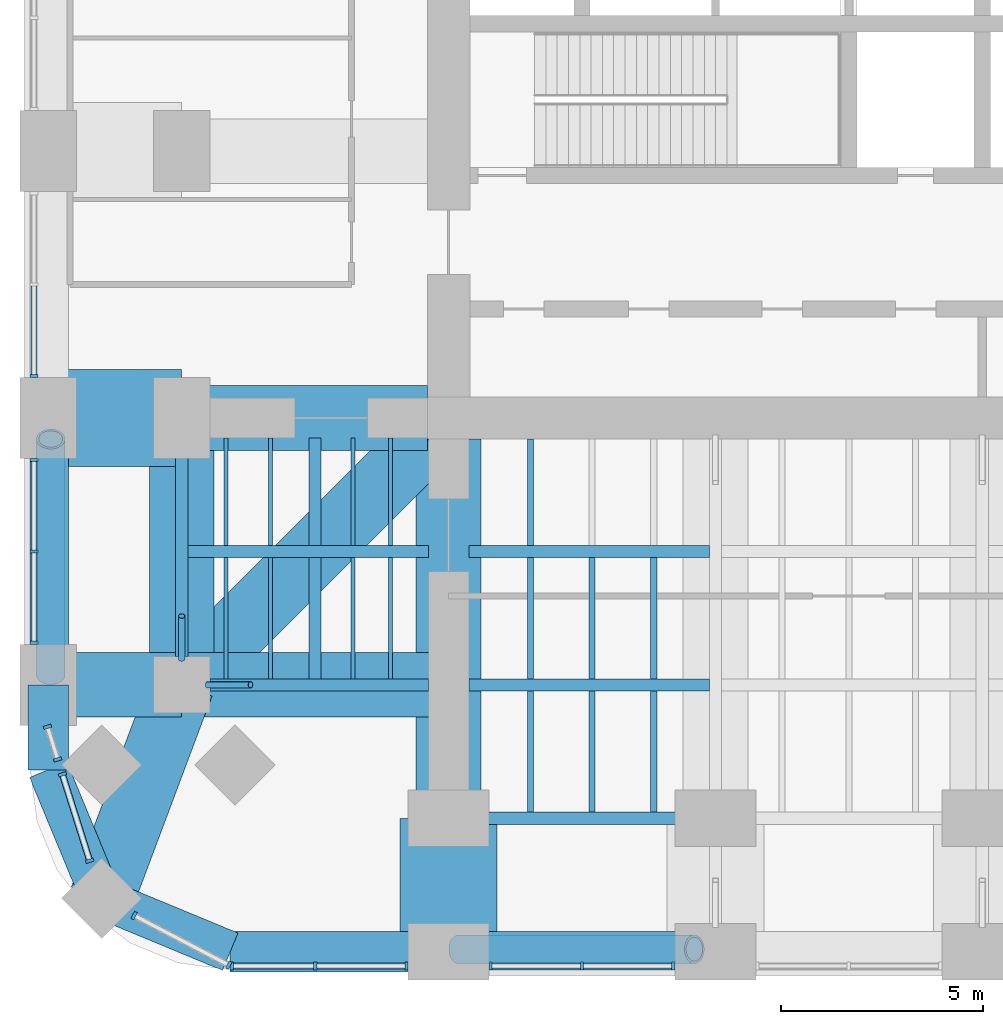
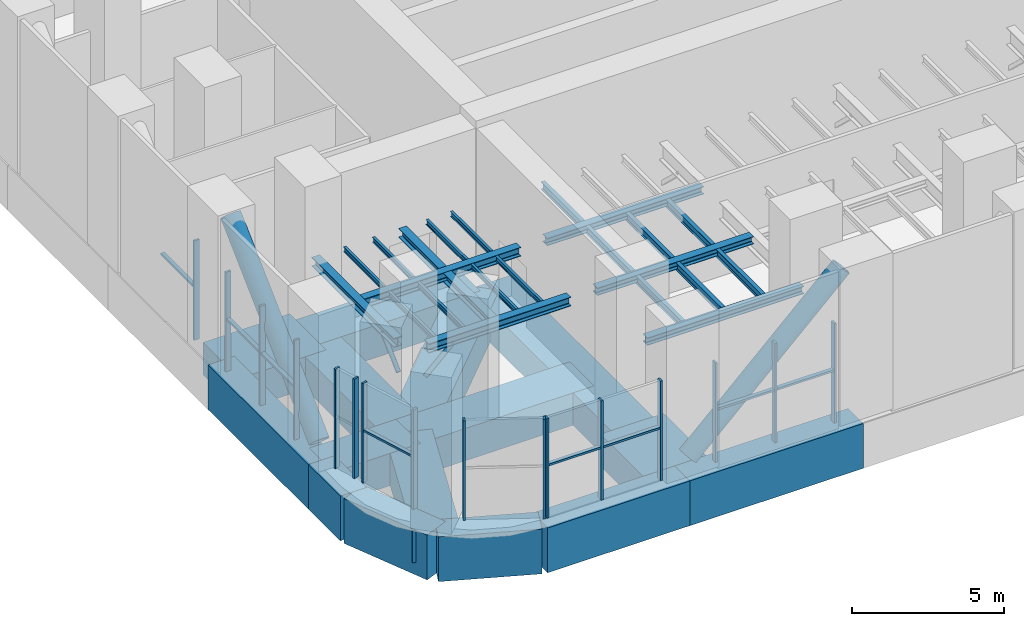
# One storey, part 2 of 16: 38 beams, 28 members, 7 elements without a shape of their own.
"""IFC4 building model written with IfcOpenShell, lengths in metres."""

from ifc_helpers import new_model, si_unit, direction, frame, origin, origin_2d, place, context, subcontext, project, spatial, rectangle, hollow_circle, i_section, extrude, material, material_profile, profile_set, type_object, element, aggregate, save


model = new_model("IFC4")

# Units and contexts
model_context = context("Model", 3, precision=1e-05, world=origin(), true_north=direction((0.0, 1.0)))
body_context = subcontext(model_context, "Body", "Model", "MODEL_VIEW")
ifc_project = project(units=[si_unit("LENGTHUNIT", "METRE"), si_unit("AREAUNIT", "SQUARE_METRE"), si_unit("VOLUMEUNIT", "CUBIC_METRE"), si_unit("PLANEANGLEUNIT", "RADIAN"), si_unit("MASSUNIT", "GRAM", prefix="KILO")], contexts=[model_context])

# Site, building, storey
site_placement = place(None, origin())
site = spatial("IfcSite", under=ifc_project, at=site_placement, CompositionType="ELEMENT")
building_placement = place(site_placement, origin())
building = spatial("IfcBuilding", under=site, at=building_placement, Name="Cobogo Forest Laboratory Tower", CompositionType="ELEMENT")
storey_placement = place(building_placement, frame((0.0, 0.0, 149.39990234375)))
storey = spatial("IfcBuildingStorey", under=building, at=storey_placement, Name="L34", CompositionType="ELEMENT", Elevation=149.39990234375)

# Members
ifc_material_1 = material(Name="Steel S460NH", Category="steel")
ifc_material_profile_1 = material_profile(ifc_material_1, hollow_circle(Radius=0.35546875, WallThickness=0.06005859375, at=origin_2d()), Name="CHS 711x60")
ifc_profile_set_1 = profile_set([ifc_material_profile_1], Name="Steel S460NH")
member_type_1 = type_object("IfcMemberType", Name="Belt truss diagonal CHS 711x60", PredefinedType="BRACE", material=ifc_profile_set_1)
for number, where, z_axis, x_axis, name in (
    (1, (13.449951171875, 0.06005859375, 0.23876953125), (0.723363796511, 0.0, 0.690467101242), (0.0, 1.0, 0.0), "BT1 belt truss diagonal S01 L34"),
    (2, (3.360107421875, 6.85009765625, 0.23876953125), (0.0, 0.723349354665, 0.69048223084), (-1.0, 0.0, 0.0), "BT1 belt truss diagonal W15 L34"),
):
    element("IfcMember", number, at=place(storey_placement, frame(where, z_axis=z_axis, x_axis=x_axis)), inside=storey, type_object=member_type_1, Name=name, PredefinedType="BRACE", context=body_context, shape_type="SweptSolid", body=[
        extrude(hollow_circle(Radius=0.35546875, WallThickness=0.06005859375, at=origin_2d()), origin(), (0.0, 0.0, 1.0), 8.0595703125),
    ])

# Curtain wall, members
ifc_material_2 = material(Name="Aluminium curtain wall", Category="aluminium")
curtain_wall_type = type_object("IfcCurtainWallType", Name="CW-P louvred curtain wall, plant floors", PredefinedType="USERDEFINED", material=ifc_material_2)
curtain_wall_1_placement = place(storey_placement, origin())
curtain_wall_1 = element("IfcCurtainWall", 3, at=curtain_wall_1_placement, inside=storey, type_object=curtain_wall_type, Name="Curtain wall 01 L34", ObjectType="LOUVRED CURTAIN WALL", PredefinedType="USERDEFINED")
ifc_material_3 = material(Name="Aluminium mullion", Category="aluminium")
ifc_material_profile_2 = material_profile(ifc_material_3, rectangle(XDim=0.080078125, YDim=0.199951171875, at=origin_2d()), Name="AL 80x200")
ifc_profile_set_2 = profile_set([ifc_material_profile_2], Name="Aluminium mullion")
member_type_2 = type_object("IfcMemberType", Name="MU-3 aluminium louvre mullion 80x200", PredefinedType="MULLION", material=ifc_profile_set_2)
member_1_placement = place(storey_placement, frame((7.840087890625, -0.35009765625, 0.0), z_axis=(0.0, 0.0, 1.0), x_axis=(1.0, 0.0, 0.0)))
member_1 = element("IfcMember", 4, at=member_1_placement, type_object=member_type_2, Name="CW-P mullion 1", PredefinedType="MULLION", context=body_context, shape_type="SweptSolid", body=[
    extrude(rectangle(XDim=0.080078125, YDim=0.199951171875, at=origin_2d()), origin(), (0.0, 0.0, 1.0), 4.0),
])
member_2_placement = place(storey_placement, frame((9.89990234375, -0.35009765625, 0.0), z_axis=(0.0, 0.0, 1.0), x_axis=(1.0, 0.0, 0.0)))
member_2 = element("IfcMember", 5, at=member_2_placement, type_object=member_type_2, Name="CW-P mullion 2", PredefinedType="MULLION", context=body_context, shape_type="SweptSolid", body=[
    extrude(rectangle(XDim=0.080078125, YDim=0.199951171875, at=origin_2d()), origin(), (0.0, 0.0, 1.0), 4.0),
])
member_3_placement = place(storey_placement, frame((12.159912109375, -0.35009765625, 0.0), z_axis=(0.0, 0.0, 1.0), x_axis=(1.0, 0.0, 0.0)))
member_3 = element("IfcMember", 6, at=member_3_placement, type_object=member_type_2, Name="CW-P mullion 3", PredefinedType="MULLION", context=body_context, shape_type="SweptSolid", body=[
    extrude(rectangle(XDim=0.080078125, YDim=0.199951171875, at=origin_2d()), origin(), (0.0, 0.0, 1.0), 4.0),
])

curtain_wall_2_placement = place(storey_placement, origin())
curtain_wall_2 = element("IfcCurtainWall", 7, at=curtain_wall_2_placement, inside=storey, type_object=curtain_wall_type, Name="Curtain wall 02 L34", ObjectType="LOUVRED CURTAIN WALL", PredefinedType="USERDEFINED")
member_4_placement = place(storey_placement, frame((14.239990234375, -0.35009765625, 0.0), z_axis=(0.0, 0.0, 1.0), x_axis=(1.0, 0.0, 0.0)))
member_4 = element("IfcMember", 8, at=member_4_placement, type_object=member_type_2, Name="CW-P mullion 1", PredefinedType="MULLION", context=body_context, shape_type="SweptSolid", body=[
    extrude(rectangle(XDim=0.080078125, YDim=0.199951171875, at=origin_2d()), origin(), (0.0, 0.0, 1.0), 4.0),
])
member_5_placement = place(storey_placement, frame((16.5, -0.35009765625, 0.0), z_axis=(0.0, 0.0, 1.0), x_axis=(1.0, 0.0, 0.0)))
member_5 = element("IfcMember", 9, at=member_5_placement, type_object=member_type_2, Name="CW-P mullion 2", PredefinedType="MULLION", context=body_context, shape_type="SweptSolid", body=[
    extrude(rectangle(XDim=0.080078125, YDim=0.199951171875, at=origin_2d()), origin(), (0.0, 0.0, 1.0), 4.0),
])
member_6_placement = place(storey_placement, frame((18.760009765625, -0.35009765625, 0.0), z_axis=(0.0, 0.0, 1.0), x_axis=(1.0, 0.0, 0.0)))
member_6 = element("IfcMember", 10, at=member_6_placement, type_object=member_type_2, Name="CW-P mullion 3", PredefinedType="MULLION", context=body_context, shape_type="SweptSolid", body=[
    extrude(rectangle(XDim=0.080078125, YDim=0.199951171875, at=origin_2d()), origin(), (0.0, 0.0, 1.0), 4.0),
])

# Curtain wall, member
curtain_wall_3_placement = place(storey_placement, origin())
curtain_wall_3 = element("IfcCurtainWall", 11, at=curtain_wall_3_placement, inside=storey, type_object=curtain_wall_type, Name="Curtain wall 30 L34", ObjectType="LOUVRED CURTAIN WALL", PredefinedType="USERDEFINED")
member_7_placement = place(storey_placement, frame((2.949951171875, 14.239990234375, 0.0), z_axis=(0.0, 0.0, 1.0), x_axis=(0.0, -1.0, 0.0)))
member_7 = element("IfcMember", 12, at=member_7_placement, type_object=member_type_2, Name="CW-P mullion 3", PredefinedType="MULLION", context=body_context, shape_type="SweptSolid", body=[
    extrude(rectangle(XDim=0.080078125, YDim=0.199951171875, at=origin_2d()), origin(), (0.0, 0.0, 1.0), 4.0),
])

# Curtain wall, members
curtain_wall_4_placement = place(storey_placement, origin())
curtain_wall_4 = element("IfcCurtainWall", 13, at=curtain_wall_4_placement, inside=storey, type_object=curtain_wall_type, Name="Curtain wall 31 L34", ObjectType="LOUVRED CURTAIN WALL", PredefinedType="USERDEFINED")
member_8_placement = place(storey_placement, frame((2.949951171875, 12.159912109375, 0.0), z_axis=(0.0, 0.0, 1.0), x_axis=(0.0, -1.0, 0.0)))
member_8 = element("IfcMember", 14, at=member_8_placement, type_object=member_type_2, Name="CW-P mullion 1", PredefinedType="MULLION", context=body_context, shape_type="SweptSolid", body=[
    extrude(rectangle(XDim=0.080078125, YDim=0.199951171875, at=origin_2d()), origin(), (0.0, 0.0, 1.0), 4.0),
])
member_9_placement = place(storey_placement, frame((2.949951171875, 9.89990234375, 0.0), z_axis=(0.0, 0.0, 1.0), x_axis=(0.0, -1.0, 0.0)))
member_9 = element("IfcMember", 15, at=member_9_placement, type_object=member_type_2, Name="CW-P mullion 2", PredefinedType="MULLION", context=body_context, shape_type="SweptSolid", body=[
    extrude(rectangle(XDim=0.080078125, YDim=0.199951171875, at=origin_2d()), origin(), (0.0, 0.0, 1.0), 4.0),
])
member_10_placement = place(storey_placement, frame((2.949951171875, 7.639892578125, 0.0), z_axis=(0.0, 0.0, 1.0), x_axis=(0.0, -1.0, 0.0)))
member_10 = element("IfcMember", 16, at=member_10_placement, type_object=member_type_2, Name="CW-P mullion 3", PredefinedType="MULLION", context=body_context, shape_type="SweptSolid", body=[
    extrude(rectangle(XDim=0.080078125, YDim=0.199951171875, at=origin_2d()), origin(), (0.0, 0.0, 1.0), 4.0),
])

curtain_wall_5_placement = place(storey_placement, origin())
curtain_wall_5 = element("IfcCurtainWall", 17, at=curtain_wall_5_placement, inside=storey, type_object=curtain_wall_type, Name="Curtain wall 32 L34", ObjectType="LOUVRED CURTAIN WALL", PredefinedType="USERDEFINED")
member_11_placement = place(storey_placement, frame((3.27783203125, 5.561767578125, 0.0), z_axis=(0.0, 0.0, 1.0), x_axis=(0.301135352577, -0.953581406818, 0.0)))
member_11 = element("IfcMember", 18, at=member_11_placement, type_object=member_type_2, Name="CW-P mullion 1", PredefinedType="MULLION", context=body_context, shape_type="SweptSolid", body=[
    extrude(rectangle(XDim=0.080078125, YDim=0.199951171875, at=origin_2d()), origin(), (0.0, 0.0, 1.0), 4.0),
])
member_12_placement = place(storey_placement, frame((3.5322265625, 4.75634765625, 0.0), z_axis=(0.0, 0.0, 1.0), x_axis=(0.301135352577, -0.953581406818, 0.0)))
member_12 = element("IfcMember", 19, at=member_12_placement, type_object=member_type_2, Name="CW-P mullion 2", PredefinedType="MULLION", context=body_context, shape_type="SweptSolid", body=[
    extrude(rectangle(XDim=0.080078125, YDim=0.199951171875, at=origin_2d()), origin(), (0.0, 0.0, 1.0), 4.0),
])
aggregate(curtain_wall_5, [member_11, member_12])

curtain_wall_6_placement = place(storey_placement, origin())
curtain_wall_6 = element("IfcCurtainWall", 20, at=curtain_wall_6_placement, inside=storey, type_object=curtain_wall_type, Name="Curtain wall 33 L34", ObjectType="LOUVRED CURTAIN WALL", PredefinedType="USERDEFINED")
member_13_placement = place(storey_placement, frame((3.648681640625, 4.387451171875, 0.0), z_axis=(0.0, 0.0, 1.0), x_axis=(0.301135343623, -0.953581409645, 0.0)))
member_13 = element("IfcMember", 21, at=member_13_placement, type_object=member_type_2, Name="CW-P mullion 1", PredefinedType="MULLION", context=body_context, shape_type="SweptSolid", body=[
    extrude(rectangle(XDim=0.080078125, YDim=0.199951171875, at=origin_2d()), origin(), (0.0, 0.0, 1.0), 4.0),
])
member_14_placement = place(storey_placement, frame((4.32421875, 2.248291015625, 0.0), z_axis=(0.0, 0.0, 1.0), x_axis=(0.301135343623, -0.953581409645, 0.0)))
member_14 = element("IfcMember", 22, at=member_14_placement, type_object=member_type_2, Name="CW-P mullion 2", PredefinedType="MULLION", context=body_context, shape_type="SweptSolid", body=[
    extrude(rectangle(XDim=0.080078125, YDim=0.199951171875, at=origin_2d()), origin(), (0.0, 0.0, 1.0), 4.0),
])

curtain_wall_7_placement = place(storey_placement, origin())
curtain_wall_7 = element("IfcCurtainWall", 23, at=curtain_wall_7_placement, inside=storey, type_object=curtain_wall_type, Name="Curtain wall 34 L34", ObjectType="LOUVRED CURTAIN WALL", PredefinedType="USERDEFINED")
member_15_placement = place(storey_placement, frame((5.423583984375, 0.895751953125, 0.0), z_axis=(0.0, 0.0, 1.0), x_axis=(0.885686540666, -0.464283697413, 0.0)))
member_15 = element("IfcMember", 24, at=member_15_placement, type_object=member_type_2, Name="CW-P mullion 1", PredefinedType="MULLION", context=body_context, shape_type="SweptSolid", body=[
    extrude(rectangle(XDim=0.080078125, YDim=0.199951171875, at=origin_2d()), origin(), (0.0, 0.0, 1.0), 4.0),
])
member_16_placement = place(storey_placement, frame((7.7646484375, -0.33154296875, 0.0), z_axis=(0.0, 0.0, 1.0), x_axis=(0.885686540666, -0.464283697413, 0.0)))
member_16 = element("IfcMember", 25, at=member_16_placement, type_object=member_type_2, Name="CW-P mullion 2", PredefinedType="MULLION", context=body_context, shape_type="SweptSolid", body=[
    extrude(rectangle(XDim=0.080078125, YDim=0.199951171875, at=origin_2d()), origin(), (0.0, 0.0, 1.0), 4.0),
])
aggregate(curtain_wall_7, [member_15, member_16])

# Beams
ifc_material_4 = material(Name="Concrete HA-40 (C40/50)", Category="concrete")
ifc_material_profile_3 = material_profile(ifc_material_4, rectangle(XDim=1.60009765625, YDim=1.300048828125, at=origin_2d()), Name="RC 1600x1300")
ifc_profile_set_3 = profile_set([ifc_material_profile_3], Name="Concrete HA-40 (C40/50)")
beam_type_1 = type_object("IfcBeamType", Name="Plant and roof garden wide beam 1600x1300", PredefinedType="BEAM", material=ifc_profile_set_3)
beam_1_placement = place(storey_placement, frame((13.199951171875, 12.675048828125, -1.0), z_axis=(0.0, -1.0, 0.0), x_axis=(1.0, 0.0, 0.0)))
element("IfcBeam", 26, at=beam_1_placement, inside=storey, type_object=beam_type_1, Name="RB4 R-3-S L34", PredefinedType="BEAM", context=body_context, shape_type="SweptSolid", body=[
    extrude(rectangle(XDim=1.60009765625, YDim=1.300048828125, at=origin_2d()), origin(), (0.0, 0.0, 1.0), 9.375),
])
beam_2_placement = place(storey_placement, frame((12.675048828125, 13.199951171875, -1.0), z_axis=(-1.0, 0.0, 0.0), x_axis=(0.0, -1.0, 0.0)))
element("IfcBeam", 27, at=beam_2_placement, inside=storey, type_object=beam_type_1, Name="RB4 R-C-W L34", PredefinedType="BEAM", context=body_context, shape_type="SweptSolid", body=[
    extrude(rectangle(XDim=1.60009765625, YDim=1.300048828125, at=origin_2d()), origin(), (0.0, 0.0, 1.0), 6.074951171875),
])
beam_3_placement = place(storey_placement, frame((6.60009765625, 6.60009765625, -1.0), z_axis=(0.0, 1.0, 0.0), x_axis=(-1.0, 0.0, 0.0)))
element("IfcBeam", 28, at=beam_3_placement, inside=storey, type_object=beam_type_1, Name="RB4 G-SW-XC L34", PredefinedType="BEAM", context=body_context, shape_type="SweptSolid", body=[
    extrude(rectangle(XDim=1.60009765625, YDim=1.300048828125, at=origin_2d()), origin(), (0.0, 0.0, 1.0), 6.599853515625),
])
beam_4_placement = place(storey_placement, frame((3.300048828125, 6.60009765625, -1.0), z_axis=(1.0, 0.0, 0.0), x_axis=(0.0, 1.0, 0.0)))
element("IfcBeam", 29, at=beam_4_placement, inside=storey, type_object=beam_type_1, Name="RB4 G-SW-YF L34", PredefinedType="BEAM", context=body_context, shape_type="SweptSolid", body=[
    extrude(rectangle(XDim=1.60009765625, YDim=1.300048828125, at=origin_2d()), origin(), (0.0, 0.0, 1.0), 3.300048828125),
])
beam_5_placement = place(storey_placement, frame((6.60009765625, 6.60009765625, -1.0), z_axis=(1.0, 0.0, 0.0), x_axis=(0.0, 1.0, 0.0)))
element("IfcBeam", 30, at=beam_5_placement, inside=storey, type_object=beam_type_1, Name="RB4 G-SW-YC L34", PredefinedType="BEAM", context=body_context, shape_type="SweptSolid", body=[
    extrude(rectangle(XDim=1.60009765625, YDim=1.300048828125, at=origin_2d()), origin(), (0.0, 0.0, 1.0), 6.599853515625),
])
beam_6_placement = place(storey_placement, frame((4.617919921875, 1.318115234375, -1.0), z_axis=(0.351346325373, 0.936245565889, 0.0), x_axis=(-0.936245565889, 0.351346325373, 0.0)))
element("IfcBeam", 31, at=beam_6_placement, inside=storey, type_object=beam_type_1, Name="RB4 G-SW-D1 L34", PredefinedType="BEAM", context=body_context, shape_type="SweptSolid", body=[
    extrude(rectangle(XDim=1.60009765625, YDim=1.300048828125, at=origin_2d()), origin(), (0.0, 0.0, 1.0), 5.6416015625),
])
beam_7_placement = place(storey_placement, frame((6.60009765625, 6.60009765625, -1.0), z_axis=(0.707106781187, 0.707106781187, 0.0), x_axis=(-0.707106781187, 0.707106781187, 0.0)))
element("IfcBeam", 32, at=beam_7_placement, inside=storey, type_object=beam_type_1, Name="RB4 G-SW-D2 L34", PredefinedType="BEAM", context=body_context, shape_type="SweptSolid", body=[
    extrude(rectangle(XDim=1.60009765625, YDim=1.300048828125, at=origin_2d()), origin(), (0.0, 0.0, 1.0), 8.59130859375),
])
ifc_material_5 = material(Name="Concrete HA-50 (C50/60)", Category="concrete")
ifc_material_profile_4 = material_profile(ifc_material_5, rectangle(XDim=2.39990234375, YDim=1.300048828125, at=origin_2d()), Name="RC 2400x1300")
ifc_profile_set_4 = profile_set([ifc_material_profile_4], Name="Concrete HA-50 (C50/60)")
beam_type_2 = type_object("IfcBeamType", Name="Plant floor end-bay beam 2400x1300", PredefinedType="BEAM", material=ifc_profile_set_4)
for number, where, z_axis, x_axis, name in (
    (33, (13.199951171875, 0.0, -1.0), (0.0, 1.0, 0.0), (-1.0, 0.0, 0.0), "RB6 R-3-S-X L34"),
    (34, (3.300048828125, 13.199951171875, -1.0), (1.0, 0.0, 0.0), (0.0, 1.0, 0.0), "RB6 R-C-W-X L34"),
):
    element("IfcBeam", number, at=place(storey_placement, frame(where, z_axis=z_axis, x_axis=x_axis)), inside=storey, type_object=beam_type_2, Name=name, PredefinedType="BEAM", context=body_context, shape_type="SweptSolid", body=[
        extrude(rectangle(XDim=2.39990234375, YDim=1.300048828125, at=origin_2d()), origin(), (0.0, 0.0, 1.0), 3.300048828125),
    ])
ifc_material_profile_5 = material_profile(ifc_material_4, rectangle(XDim=1.0, YDim=1.800048828125, at=origin_2d()), Name="RC 1000x1800")
ifc_profile_set_5 = profile_set([ifc_material_profile_5], Name="Concrete HA-40 (C40/50)")
beam_type_3 = type_object("IfcBeamType", Name="Plant floor perimeter girder 1000x1800", PredefinedType="BEAM", material=ifc_profile_set_5)
beam_8_placement = place(storey_placement, frame((13.199951171875, 0.0, -1.25), z_axis=(1.0, 0.0, 0.0), x_axis=(0.0, 1.0, 0.0)))
element("IfcBeam", 35, at=beam_8_placement, inside=storey, type_object=beam_type_3, Name="TG1 E-S1 L34", PredefinedType="BEAM", context=body_context, shape_type="SweptSolid", body=[
    extrude(rectangle(XDim=1.0, YDim=1.800048828125, at=origin_2d()), origin(), (0.0, 0.0, 1.0), 6.60009765625),
])
beam_9_placement = place(storey_placement, frame((3.300048828125, 6.60009765625, -1.25), z_axis=(0.0, 1.0, 0.0), x_axis=(-1.0, 0.0, 0.0)))
element("IfcBeam", 36, at=beam_9_placement, inside=storey, type_object=beam_type_3, Name="TG1 E-W1 L34", PredefinedType="BEAM", context=body_context, shape_type="SweptSolid", body=[
    extrude(rectangle(XDim=1.0, YDim=1.800048828125, at=origin_2d()), origin(), (0.0, 0.0, 1.0), 6.599853515625),
])
beam_10_placement = place(storey_placement, frame((13.199951171875, 0.0, -1.25), z_axis=(-1.0, 0.0, 0.0), x_axis=(0.0, -1.0, 0.0)))
element("IfcBeam", 37, at=beam_10_placement, inside=storey, type_object=beam_type_3, Name="TG1 E-SWS1 L34", PredefinedType="BEAM", context=body_context, shape_type="SweptSolid", body=[
    extrude(rectangle(XDim=1.0, YDim=1.800048828125, at=origin_2d()), origin(), (0.0, 0.0, 1.0), 5.39990234375),
])
beam_11_placement = place(storey_placement, frame((7.800048828125, 0.0, -1.25), z_axis=(-0.923876013265, 0.382691928466, 0.0), x_axis=(-0.382691928466, -0.923876013265, 0.0)))
element("IfcBeam", 38, at=beam_11_placement, inside=storey, type_object=beam_type_3, Name="TG1 E-SWS2 L34", PredefinedType="BEAM", context=body_context, shape_type="SweptSolid", body=[
    extrude(rectangle(XDim=1.0, YDim=1.800048828125, at=origin_2d()), origin(), (0.0, 0.0, 1.0), 3.4443359375),
])
beam_12_placement = place(storey_placement, frame((3.300048828125, 6.60009765625, -1.25), z_axis=(0.0, -1.0, 0.0), x_axis=(1.0, 0.0, 0.0)))
element("IfcBeam", 39, at=beam_12_placement, inside=storey, type_object=beam_type_3, Name="TG1 E-SWW1 L34", PredefinedType="BEAM", context=body_context, shape_type="SweptSolid", body=[
    extrude(rectangle(XDim=1.0, YDim=1.800048828125, at=origin_2d()), origin(), (0.0, 0.0, 1.0), 2.10009765625),
])
beam_13_placement = place(storey_placement, frame((3.300048828125, 4.5, -1.25), z_axis=(0.382656484822, -0.923890694089, 0.0), x_axis=(0.923890694089, 0.382656484822, 0.0)))
element("IfcBeam", 40, at=beam_13_placement, inside=storey, type_object=beam_type_3, Name="TG1 E-SWW2 L34", PredefinedType="BEAM", context=body_context, shape_type="SweptSolid", body=[
    extrude(rectangle(XDim=1.0, YDim=1.800048828125, at=origin_2d()), origin(), (0.0, 0.0, 1.0), 3.444091796875),
])

# Members
ifc_material_6 = material(Name="Steel S355", Category="steel")
ifc_material_profile_6 = material_profile(ifc_material_6, hollow_circle(Radius=0.084228515625, WallThickness=0.008056640625, at=origin_2d()), Name="CHS 168.3x8")
ifc_profile_set_6 = profile_set([ifc_material_profile_6], Name="Steel S355")
member_type_3 = type_object("IfcMemberType", Name="Plant knee brace CHS 168.3x8", PredefinedType="BRACE", material=ifc_profile_set_6)
for number, where, z_axis, x_axis, name in (
    (41, (7.240478515625, 6.60009765625, 1.64013671875), (0.727254758545, 0.0, 0.686367624654), (0.0, 1.0, 0.0), "PX1 PF-SW knee brace X L34"),
    (42, (6.60009765625, 7.240478515625, 1.64013671875), (0.0, 0.727254758545, 0.686367624654), (-1.0, 0.0, 0.0), "PX1 PF-SW knee brace Y L34"),
):
    element("IfcMember", number, at=place(storey_placement, frame(where, z_axis=z_axis, x_axis=x_axis)), inside=storey, type_object=member_type_3, Name=name, PredefinedType="BRACE", context=body_context, shape_type="SweptSolid", body=[
        extrude(hollow_circle(Radius=0.084228515625, WallThickness=0.008056640625, at=origin_2d()), origin(), (0.0, 0.0, 1.0), 1.45703125),
    ])

# Beams
ifc_material_profile_7 = material_profile(ifc_material_6, i_section(OverallWidth=0.300048828125, OverallDepth=0.300048828125, WebThickness=0.010986328125, FlangeThickness=0.01904296875, FilletRadius=0.027099609375, at=origin_2d()), Name="HEB 300")
ifc_profile_set_7 = profile_set([ifc_material_profile_7], Name="Steel S355")
beam_type_4 = type_object("IfcBeamType", Name="Plant platform beam HEB 300", PredefinedType="BEAM", material=ifc_profile_set_7)
for number, where, z_axis, x_axis, name in (
    (43, (13.699951171875, 3.300048828125, 2.85009765625), (1.0, 0.0, 0.0), (0.0, 1.0, 0.0), "PB2 AHU-S platform beam 1 at 3300 L34"),
    (44, (13.699951171875, 6.60009765625, 2.85009765625), (1.0, 0.0, 0.0), (0.0, 1.0, 0.0), "PB2 AHU-S platform beam 1 at 6600 L34"),
    (45, (13.699951171875, 9.89990234375, 2.85009765625), (1.0, 0.0, 0.0), (0.0, 1.0, 0.0), "PB2 AHU-S platform beam 1 at 9900 L34"),
):
    element("IfcBeam", number, at=place(storey_placement, frame(where, z_axis=z_axis, x_axis=x_axis)), inside=storey, type_object=beam_type_4, Name=name, PredefinedType="BEAM", context=body_context, shape_type="SweptSolid", body=[
        extrude(i_section(OverallWidth=0.300048828125, OverallDepth=0.300048828125, WebThickness=0.010986328125, FlangeThickness=0.01904296875, FilletRadius=0.027099609375, at=origin_2d()), origin(), (0.0, 0.0, 1.0), 5.949951171875),
    ])
ifc_material_profile_8 = material_profile(ifc_material_6, i_section(OverallWidth=0.14990234375, OverallDepth=0.300048828125, WebThickness=0.007080078125, FlangeThickness=0.0107421875, FilletRadius=0.014892578125, at=origin_2d()), Name="IPE 300")
ifc_profile_set_8 = profile_set([ifc_material_profile_8], Name="Steel S355")
beam_type_5 = type_object("IfcBeamType", Name="Plant platform joist IPE 300", PredefinedType="JOIST", material=ifc_profile_set_8)
for number, where, z_axis, x_axis, name in (
    (46, (15.22509765625, 3.449951171875, 2.85009765625), (0.0, 1.0, 0.0), (-1.0, 0.0, 0.0), "PJ2 AHU-S joist 1.1 row 1 L34"),
    (47, (15.22509765625, 6.75, 2.85009765625), (0.0, 1.0, 0.0), (-1.0, 0.0, 0.0), "PJ2 AHU-S joist 1.1 row 2 L34"),
):
    element("IfcBeam", number, at=place(storey_placement, frame(where, z_axis=z_axis, x_axis=x_axis)), inside=storey, type_object=beam_type_5, Name=name, PredefinedType="JOIST", context=body_context, shape_type="SweptSolid", body=[
        extrude(i_section(OverallWidth=0.14990234375, OverallDepth=0.300048828125, WebThickness=0.007080078125, FlangeThickness=0.0107421875, FilletRadius=0.014892578125, at=origin_2d()), origin(), (0.0, 0.0, 1.0), 3.0),
    ])
beam_14_placement = place(storey_placement, frame((15.22509765625, 10.050048828125, 2.85009765625), z_axis=(0.0, 1.0, 0.0), x_axis=(-1.0, 0.0, 0.0)))
element("IfcBeam", 48, at=beam_14_placement, inside=storey, type_object=beam_type_5, Name="PJ2 AHU-S joist 1.1 row 3 L34", PredefinedType="JOIST", context=body_context, shape_type="SweptSolid", body=[
    extrude(i_section(OverallWidth=0.14990234375, OverallDepth=0.300048828125, WebThickness=0.007080078125, FlangeThickness=0.0107421875, FilletRadius=0.014892578125, at=origin_2d()), origin(), (0.0, 0.0, 1.0), 2.625),
])
for number, where, z_axis, x_axis, name in (
    (49, (16.75, 3.449951171875, 2.85009765625), (0.0, 1.0, 0.0), (-1.0, 0.0, 0.0), "PJ2 AHU-S joist 1.2 row 1 L34"),
    (50, (16.75, 6.75, 2.85009765625), (0.0, 1.0, 0.0), (-1.0, 0.0, 0.0), "PJ2 AHU-S joist 1.2 row 2 L34"),
    (51, (18.27490234375, 3.449951171875, 2.85009765625), (0.0, 1.0, 0.0), (-1.0, 0.0, 0.0), "PJ2 AHU-S joist 1.3 row 1 L34"),
    (52, (18.27490234375, 6.75, 2.85009765625), (0.0, 1.0, 0.0), (-1.0, 0.0, 0.0), "PJ2 AHU-S joist 1.3 row 2 L34"),
):
    element("IfcBeam", number, at=place(storey_placement, frame(where, z_axis=z_axis, x_axis=x_axis)), inside=storey, type_object=beam_type_5, Name=name, PredefinedType="JOIST", context=body_context, shape_type="SweptSolid", body=[
        extrude(i_section(OverallWidth=0.14990234375, OverallDepth=0.300048828125, WebThickness=0.007080078125, FlangeThickness=0.0107421875, FilletRadius=0.014892578125, at=origin_2d()), origin(), (0.0, 0.0, 1.0), 3.0),
    ])
ifc_material_profile_9 = material_profile(ifc_material_6, i_section(OverallWidth=0.300048828125, OverallDepth=0.360107421875, WebThickness=0.012451171875, FlangeThickness=0.0224609375, FilletRadius=0.027099609375, at=origin_2d()), Name="HEB 360")
ifc_profile_set_9 = profile_set([ifc_material_profile_9], Name="Steel S355")
beam_type_6 = type_object("IfcBeamType", Name="Plant support frame beam HEB 360", PredefinedType="BEAM", material=ifc_profile_set_9)
for number, where, z_axis, x_axis, name in (
    (53, (7.300048828125, 6.60009765625, 2.820068359375), (1.0, 0.0, 0.0), (0.0, 1.0, 0.0), "PF2 PF-SW beam X1 L34"),
    (54, (6.60009765625, 7.300048828125, 2.820068359375), (0.0, 1.0, 0.0), (-1.0, 0.0, 0.0), "PF2 PF-SW beam Y1 L34"),
):
    element("IfcBeam", number, at=place(storey_placement, frame(where, z_axis=z_axis, x_axis=x_axis)), inside=storey, type_object=beam_type_6, Name=name, PredefinedType="BEAM", context=body_context, shape_type="SweptSolid", body=[
        extrude(i_section(OverallWidth=0.300048828125, OverallDepth=0.360107421875, WebThickness=0.012451171875, FlangeThickness=0.0224609375, FilletRadius=0.027099609375, at=origin_2d()), origin(), (0.0, 0.0, 1.0), 5.39990234375),
    ])
beam_15_placement = place(storey_placement, frame((6.75, 9.89990234375, 2.820068359375), z_axis=(1.0, 0.0, 0.0), x_axis=(0.0, 1.0, 0.0)))
element("IfcBeam", 55, at=beam_15_placement, inside=storey, type_object=beam_type_6, Name="PF2 PF-SW beam X2 L34", PredefinedType="BEAM", context=body_context, shape_type="SweptSolid", body=[
    extrude(i_section(OverallWidth=0.300048828125, OverallDepth=0.360107421875, WebThickness=0.012451171875, FlangeThickness=0.0224609375, FilletRadius=0.027099609375, at=origin_2d()), origin(), (0.0, 0.0, 1.0), 5.949951171875),
])
beam_16_placement = place(storey_placement, frame((9.89990234375, 6.75, 2.820068359375), z_axis=(0.0, 1.0, 0.0), x_axis=(-1.0, 0.0, 0.0)))
element("IfcBeam", 56, at=beam_16_placement, inside=storey, type_object=beam_type_6, Name="PF2 PF-SW beam Y2-1 L34", PredefinedType="BEAM", context=body_context, shape_type="SweptSolid", body=[
    extrude(i_section(OverallWidth=0.300048828125, OverallDepth=0.360107421875, WebThickness=0.012451171875, FlangeThickness=0.0224609375, FilletRadius=0.027099609375, at=origin_2d()), origin(), (0.0, 0.0, 1.0), 3.0),
])
beam_17_placement = place(storey_placement, frame((9.89990234375, 10.050048828125, 2.820068359375), z_axis=(0.0, 1.0, 0.0), x_axis=(-1.0, 0.0, 0.0)))
element("IfcBeam", 57, at=beam_17_placement, inside=storey, type_object=beam_type_6, Name="PF2 PF-SW beam Y2-2 L34", PredefinedType="BEAM", context=body_context, shape_type="SweptSolid", body=[
    extrude(i_section(OverallWidth=0.300048828125, OverallDepth=0.360107421875, WebThickness=0.012451171875, FlangeThickness=0.0224609375, FilletRadius=0.027099609375, at=origin_2d()), origin(), (0.0, 0.0, 1.0), 2.64990234375),
])
ifc_material_profile_10 = material_profile(ifc_material_6, i_section(OverallWidth=0.10009765625, OverallDepth=0.199951171875, WebThickness=0.005615234375, FlangeThickness=0.008544921875, FilletRadius=0.011962890625, at=origin_2d()), Name="IPE 200")
ifc_profile_set_10 = profile_set([ifc_material_profile_10], Name="Steel S355")
beam_type_7 = type_object("IfcBeamType", Name="Plant support frame joist IPE 200", PredefinedType="JOIST", material=ifc_profile_set_10)
for number, where, z_axis, x_axis, name in (
    (58, (7.699951171875, 6.75, 2.900146484375), (0.0, 1.0, 0.0), (-1.0, 0.0, 0.0), "PJ3 PF-SW joist 11.1 L34"),
    (59, (8.800048828125, 6.75, 2.900146484375), (0.0, 1.0, 0.0), (-1.0, 0.0, 0.0), "PJ3 PF-SW joist 11.2 L34"),
):
    element("IfcBeam", number, at=place(storey_placement, frame(where, z_axis=z_axis, x_axis=x_axis)), inside=storey, type_object=beam_type_7, Name=name, PredefinedType="JOIST", context=body_context, shape_type="SweptSolid", body=[
        extrude(i_section(OverallWidth=0.10009765625, OverallDepth=0.199951171875, WebThickness=0.005615234375, FlangeThickness=0.008544921875, FilletRadius=0.011962890625, at=origin_2d()), origin(), (0.0, 0.0, 1.0), 3.0),
    ])
for number, where, z_axis, x_axis, name in (
    (60, (7.699951171875, 10.050048828125, 2.900146484375), (0.0, 1.0, 0.0), (-1.0, 0.0, 0.0), "PJ3 PF-SW joist 12.1 L34"),
    (61, (8.800048828125, 10.050048828125, 2.900146484375), (0.0, 1.0, 0.0), (-1.0, 0.0, 0.0), "PJ3 PF-SW joist 12.2 L34"),
):
    element("IfcBeam", number, at=place(storey_placement, frame(where, z_axis=z_axis, x_axis=x_axis)), inside=storey, type_object=beam_type_7, Name=name, PredefinedType="JOIST", context=body_context, shape_type="SweptSolid", body=[
        extrude(i_section(OverallWidth=0.10009765625, OverallDepth=0.199951171875, WebThickness=0.005615234375, FlangeThickness=0.008544921875, FilletRadius=0.011962890625, at=origin_2d()), origin(), (0.0, 0.0, 1.0), 2.64990234375),
    ])
for number, where, z_axis, x_axis, name in (
    (62, (10.833251953125, 6.75, 2.900146484375), (0.0, 1.0, 0.0), (-1.0, 0.0, 0.0), "PJ3 PF-SW joist 21.1 L34"),
    (63, (11.7666015625, 6.75, 2.900146484375), (0.0, 1.0, 0.0), (-1.0, 0.0, 0.0), "PJ3 PF-SW joist 21.2 L34"),
):
    element("IfcBeam", number, at=place(storey_placement, frame(where, z_axis=z_axis, x_axis=x_axis)), inside=storey, type_object=beam_type_7, Name=name, PredefinedType="JOIST", context=body_context, shape_type="SweptSolid", body=[
        extrude(i_section(OverallWidth=0.10009765625, OverallDepth=0.199951171875, WebThickness=0.005615234375, FlangeThickness=0.008544921875, FilletRadius=0.011962890625, at=origin_2d()), origin(), (0.0, 0.0, 1.0), 3.0),
    ])
for number, where, z_axis, x_axis, name in (
    (64, (10.833251953125, 10.050048828125, 2.900146484375), (0.0, 1.0, 0.0), (-1.0, 0.0, 0.0), "PJ3 PF-SW joist 22.1 L34"),
    (65, (11.7666015625, 10.050048828125, 2.900146484375), (0.0, 1.0, 0.0), (-1.0, 0.0, 0.0), "PJ3 PF-SW joist 22.2 L34"),
):
    element("IfcBeam", number, at=place(storey_placement, frame(where, z_axis=z_axis, x_axis=x_axis)), inside=storey, type_object=beam_type_7, Name=name, PredefinedType="JOIST", context=body_context, shape_type="SweptSolid", body=[
        extrude(i_section(OverallWidth=0.10009765625, OverallDepth=0.199951171875, WebThickness=0.005615234375, FlangeThickness=0.008544921875, FilletRadius=0.011962890625, at=origin_2d()), origin(), (0.0, 0.0, 1.0), 2.64990234375),
    ])

# Member
ifc_material_7 = material(Name="Aluminium transom", Category="aluminium")
ifc_material_profile_11 = material_profile(ifc_material_7, rectangle(XDim=0.14990234375, YDim=0.080078125, at=origin_2d()), Name="AL 80x150")
ifc_profile_set_11 = profile_set([ifc_material_profile_11], Name="Aluminium transom")
member_type_4 = type_object("IfcMemberType", Name="TR-2 aluminium louvre transom 80x150", PredefinedType="USERDEFINED", material=ifc_profile_set_11)
member_17_placement = place(storey_placement, frame((7.8798828125, -0.35009765625, 2.10009765625), z_axis=(1.0, 0.0, 0.0), x_axis=(0.0, 1.0, 0.0)))
member_17 = element("IfcMember", 66, at=member_17_placement, type_object=member_type_4, Name="CW-P transom 1.1", ObjectType="TRANSOM", PredefinedType="USERDEFINED", context=body_context, shape_type="SweptSolid", body=[
    extrude(rectangle(XDim=0.14990234375, YDim=0.080078125, at=origin_2d()), origin(), (0.0, 0.0, 1.0), 1.980224609375),
])

member_18_placement = place(storey_placement, frame((9.93994140625, -0.35009765625, 2.10009765625), z_axis=(1.0, 0.0, 0.0), x_axis=(0.0, 1.0, 0.0)))
member_18 = element("IfcMember", 67, at=member_18_placement, type_object=member_type_4, Name="CW-P transom 2.1", ObjectType="TRANSOM", PredefinedType="USERDEFINED", context=body_context, shape_type="SweptSolid", body=[
    extrude(rectangle(XDim=0.14990234375, YDim=0.080078125, at=origin_2d()), origin(), (0.0, 0.0, 1.0), 2.18017578125),
])

aggregate(curtain_wall_1, [member_1, member_2, member_3, member_17, member_18])

member_19_placement = place(storey_placement, frame((14.280029296875, -0.35009765625, 2.10009765625), z_axis=(1.0, 0.0, 0.0), x_axis=(0.0, 1.0, 0.0)))
member_19 = element("IfcMember", 68, at=member_19_placement, type_object=member_type_4, Name="CW-P transom 1.1", ObjectType="TRANSOM", PredefinedType="USERDEFINED", context=body_context, shape_type="SweptSolid", body=[
    extrude(rectangle(XDim=0.14990234375, YDim=0.080078125, at=origin_2d()), origin(), (0.0, 0.0, 1.0), 2.179931640625),
])

member_20_placement = place(storey_placement, frame((16.5400390625, -0.35009765625, 2.10009765625), z_axis=(1.0, 0.0, 0.0), x_axis=(0.0, 1.0, 0.0)))
member_20 = element("IfcMember", 69, at=member_20_placement, type_object=member_type_4, Name="CW-P transom 2.1", ObjectType="TRANSOM", PredefinedType="USERDEFINED", context=body_context, shape_type="SweptSolid", body=[
    extrude(rectangle(XDim=0.14990234375, YDim=0.080078125, at=origin_2d()), origin(), (0.0, 0.0, 1.0), 2.179931640625),
])

aggregate(curtain_wall_2, [member_4, member_5, member_6, member_19, member_20])

member_21_placement = place(storey_placement, frame((2.949951171875, 16.4599609375, 2.10009765625), z_axis=(0.0, -1.0, 0.0), x_axis=(1.0, 0.0, 0.0)))
member_21 = element("IfcMember", 70, at=member_21_placement, type_object=member_type_4, Name="CW-P transom 2.1", ObjectType="TRANSOM", PredefinedType="USERDEFINED", context=body_context, shape_type="SweptSolid", body=[
    extrude(rectangle(XDim=0.14990234375, YDim=0.080078125, at=origin_2d()), origin(), (0.0, 0.0, 1.0), 2.179931640625),
])

aggregate(curtain_wall_3, [member_7, member_21])

member_22_placement = place(storey_placement, frame((2.949951171875, 12.1201171875, 2.10009765625), z_axis=(0.0, -1.0, 0.0), x_axis=(1.0, 0.0, 0.0)))
member_22 = element("IfcMember", 71, at=member_22_placement, type_object=member_type_4, Name="CW-P transom 1.1", ObjectType="TRANSOM", PredefinedType="USERDEFINED", context=body_context, shape_type="SweptSolid", body=[
    extrude(rectangle(XDim=0.14990234375, YDim=0.080078125, at=origin_2d()), origin(), (0.0, 0.0, 1.0), 2.18017578125),
])

member_23_placement = place(storey_placement, frame((2.949951171875, 9.860107421875, 2.10009765625), z_axis=(0.0, -1.0, 0.0), x_axis=(1.0, 0.0, 0.0)))
member_23 = element("IfcMember", 72, at=member_23_placement, type_object=member_type_4, Name="CW-P transom 2.1", ObjectType="TRANSOM", PredefinedType="USERDEFINED", context=body_context, shape_type="SweptSolid", body=[
    extrude(rectangle(XDim=0.14990234375, YDim=0.080078125, at=origin_2d()), origin(), (0.0, 0.0, 1.0), 2.18017578125),
])

aggregate(curtain_wall_4, [member_8, member_9, member_10, member_22, member_23])

member_24_placement = place(storey_placement, frame((3.66064453125, 4.349365234375, 2.10009765625), z_axis=(0.301190775892, -0.953563902692, 0.0), x_axis=(0.953563902692, 0.301190775892, 0.0)))
member_24 = element("IfcMember", 73, at=member_24_placement, type_object=member_type_4, Name="CW-P transom 1.1", ObjectType="TRANSOM", PredefinedType="USERDEFINED", context=body_context, shape_type="SweptSolid", body=[
    extrude(rectangle(XDim=0.14990234375, YDim=0.080078125, at=origin_2d()), origin(), (0.0, 0.0, 1.0), 2.163330078125),
])

aggregate(curtain_wall_6, [member_13, member_14, member_24])

save(model, "model.ifc")
